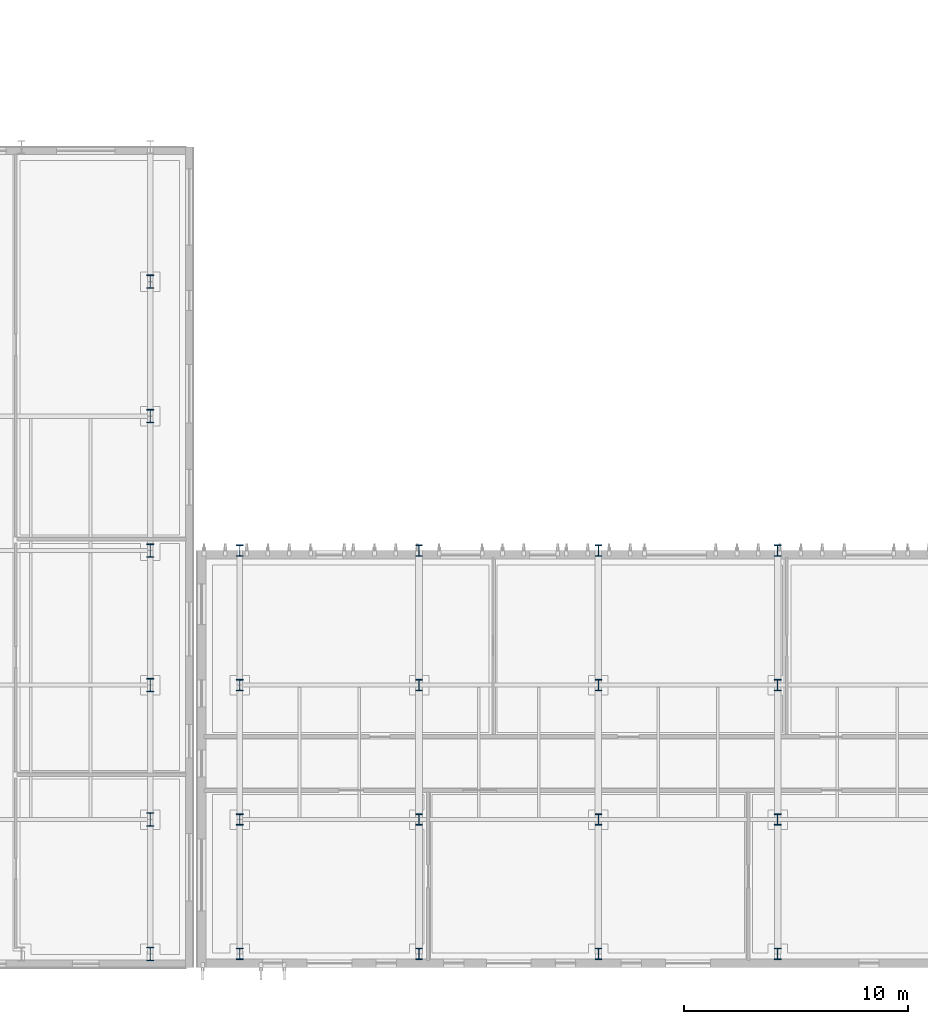
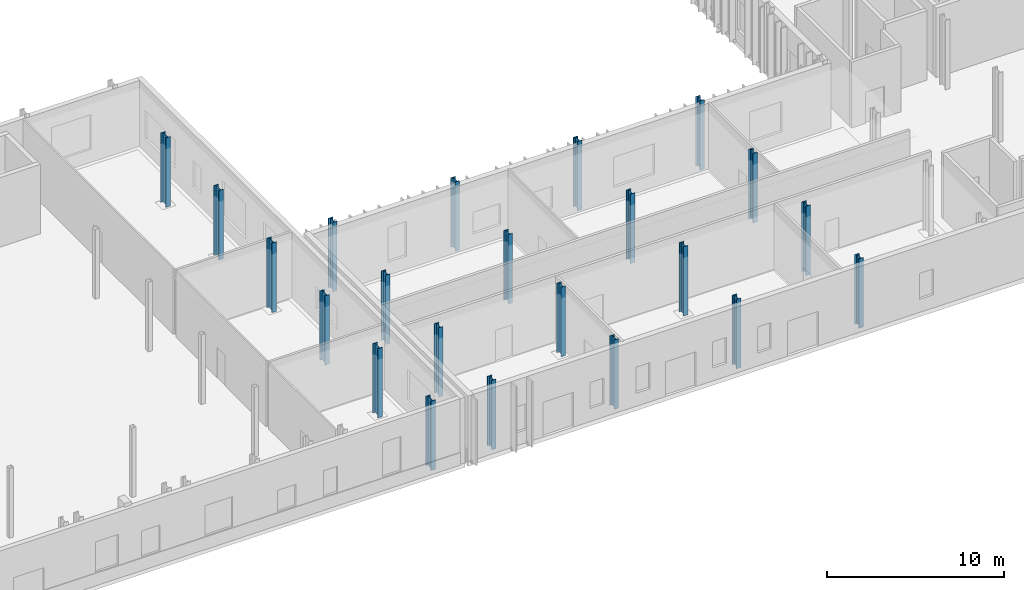
# One storey, part 6 of 60: 22 columns.
"""IFC4 building model written with IfcOpenShell, lengths in metres."""

from ifc_helpers import new_model, si_unit, direction, frame, origin, origin_2d, place, context, subcontext, project, spatial, i_section, extrude, material, material_profile, profile_set, type_object, element, save


model = new_model("IFC4")

# Units and contexts
model_context = context("Model", 3, precision=1e-05, world=origin(), true_north=direction((0.0, 1.0)))
body_context = subcontext(model_context, "Body", "Model", "MODEL_VIEW")
ifc_project = project(units=[si_unit("LENGTHUNIT", "METRE"), si_unit("AREAUNIT", "SQUARE_METRE"), si_unit("VOLUMEUNIT", "CUBIC_METRE"), si_unit("PLANEANGLEUNIT", "RADIAN"), si_unit("MASSUNIT", "GRAM", prefix="KILO")], contexts=[model_context])

# Site, building, storey
site_placement = place(None, origin())
site = spatial("IfcSite", under=ifc_project, at=site_placement, CompositionType="ELEMENT")
building_placement = place(site_placement, origin())
building = spatial("IfcBuilding", under=site, at=building_placement, Name="Cymarion Research Institute", CompositionType="ELEMENT")
storey_placement = place(building_placement, origin())
storey = spatial("IfcBuildingStorey", under=building, at=storey_placement, Name="L00", CompositionType="ELEMENT", Elevation=0.0)

# Columns
ifc_material = material(Name="Steel S355", Category="steel")
ifc_material_profile_1 = material_profile(ifc_material, i_section(OverallWidth=0.300048828125, OverallDepth=0.60009765625, WebThickness=0.015380859375, FlangeThickness=0.030029296875, FilletRadius=0.027099609375, at=origin_2d()), Name="HEB 600")
ifc_profile_set_1 = profile_set([ifc_material_profile_1], Name="Steel S355")
column_type_1 = type_object("IfcColumnType", Name="STRUCTURAL COLUMN C02 HEB 600", PredefinedType="COLUMN", material=ifc_profile_set_1)
for number, where, z_axis, x_axis, name in (
    (1, (102.60009765625, 5.5, 0.0), (0.0, 0.0, 1.0), (1.0, 0.0, 0.0), "L00 V2 column C02 #391"),
    (2, (102.60009765625, 11.5, 0.0), (0.0, 0.0, 1.0), (1.0, 0.0, 0.0), "L00 V2 column C02 #392"),
    (3, (102.60009765625, 17.5, 0.0), (0.0, 0.0, 1.0), (1.0, 0.0, 0.0), "L00 V2 column C02 #393"),
    (4, (102.60009765625, 23.5, 0.0), (0.0, 0.0, 1.0), (1.0, 0.0, 0.0), "L00 V2 column C02 #394"),
    (5, (102.60009765625, 29.5, 0.0), (0.0, 0.0, 1.0), (1.0, 0.0, 0.0), "L00 V2 column C02 #395"),
    (6, (102.60009765625, 35.5, 0.0), (0.0, 0.0, 1.0), (1.0, 0.0, 0.0), "L00 V2 column C02 #396"),
):
    element("IfcColumn", number, at=place(storey_placement, frame(where, z_axis=z_axis, x_axis=x_axis)), inside=storey, type_object=column_type_1, Name=name, PredefinedType="COLUMN", context=body_context, shape_type="SweptSolid", body=[
        extrude(i_section(OverallWidth=0.300048828125, OverallDepth=0.60009765625, WebThickness=0.015380859375, FlangeThickness=0.030029296875, FilletRadius=0.027099609375, at=origin_2d()), origin(), (0.0, 0.0, 1.0), 4.800048828125),
    ])
ifc_material_profile_2 = material_profile(ifc_material, i_section(OverallWidth=0.300048828125, OverallDepth=0.5, WebThickness=0.014404296875, FlangeThickness=0.028076171875, FilletRadius=0.027099609375, at=origin_2d()), Name="HEB 500")
ifc_profile_set_2 = profile_set([ifc_material_profile_2], Name="Steel S355")
column_type_2 = type_object("IfcColumnType", Name="STRUCTURAL COLUMN C04 HEB 500", PredefinedType="COLUMN", material=ifc_profile_set_2)
for number, where, z_axis, x_axis, name in (
    (7, (106.60009765625, 5.5, 0.0), (0.0, 0.0, 1.0), (1.0, 0.0, 0.0), "L00 V1 column C04 #398"),
    (8, (106.60009765625, 11.5, 0.0), (0.0, 0.0, 1.0), (1.0, 0.0, 0.0), "L00 V1 column C04 #399"),
    (9, (106.60009765625, 17.5, 0.0), (0.0, 0.0, 1.0), (1.0, 0.0, 0.0), "L00 V1 column C04 #400"),
    (10, (106.60009765625, 23.5, 0.0), (0.0, 0.0, 1.0), (1.0, 0.0, 0.0), "L00 V1 column C04 #401"),
    (11, (114.60009765625, 5.5, 0.0), (0.0, 0.0, 1.0), (1.0, 0.0, 0.0), "L00 V1 column C04 #402"),
    (12, (114.60009765625, 11.5, 0.0), (0.0, 0.0, 1.0), (1.0, 0.0, 0.0), "L00 V1 column C04 #403"),
    (13, (114.60009765625, 17.5, 0.0), (0.0, 0.0, 1.0), (1.0, 0.0, 0.0), "L00 V1 column C04 #404"),
    (14, (114.60009765625, 23.5, 0.0), (0.0, 0.0, 1.0), (1.0, 0.0, 0.0), "L00 V1 column C04 #405"),
    (15, (122.60009765625, 5.5, 0.0), (0.0, 0.0, 1.0), (1.0, 0.0, 0.0), "L00 V1 column C04 #406"),
    (16, (122.60009765625, 11.5, 0.0), (0.0, 0.0, 1.0), (1.0, 0.0, 0.0), "L00 V1 column C04 #407"),
    (17, (122.60009765625, 17.5, 0.0), (0.0, 0.0, 1.0), (1.0, 0.0, 0.0), "L00 V1 column C04 #408"),
    (18, (122.60009765625, 23.5, 0.0), (0.0, 0.0, 1.0), (1.0, 0.0, 0.0), "L00 V1 column C04 #409"),
    (19, (130.60009765625, 5.5, 0.0), (0.0, 0.0, 1.0), (1.0, 0.0, 0.0), "L00 V1 column C04 #410"),
    (20, (130.60009765625, 11.5, 0.0), (0.0, 0.0, 1.0), (1.0, 0.0, 0.0), "L00 V1 column C04 #411"),
    (21, (130.60009765625, 17.5, 0.0), (0.0, 0.0, 1.0), (1.0, 0.0, 0.0), "L00 V1 column C04 #412"),
    (22, (130.60009765625, 23.5, 0.0), (0.0, 0.0, 1.0), (1.0, 0.0, 0.0), "L00 V1 column C04 #413"),
):
    element("IfcColumn", number, at=place(storey_placement, frame(where, z_axis=z_axis, x_axis=x_axis)), inside=storey, type_object=column_type_2, Name=name, PredefinedType="COLUMN", context=body_context, shape_type="SweptSolid", body=[
        extrude(i_section(OverallWidth=0.300048828125, OverallDepth=0.5, WebThickness=0.014404296875, FlangeThickness=0.028076171875, FilletRadius=0.027099609375, at=origin_2d()), origin(), (0.0, 0.0, 1.0), 4.800048828125),
    ])

save(model, "model.ifc")
